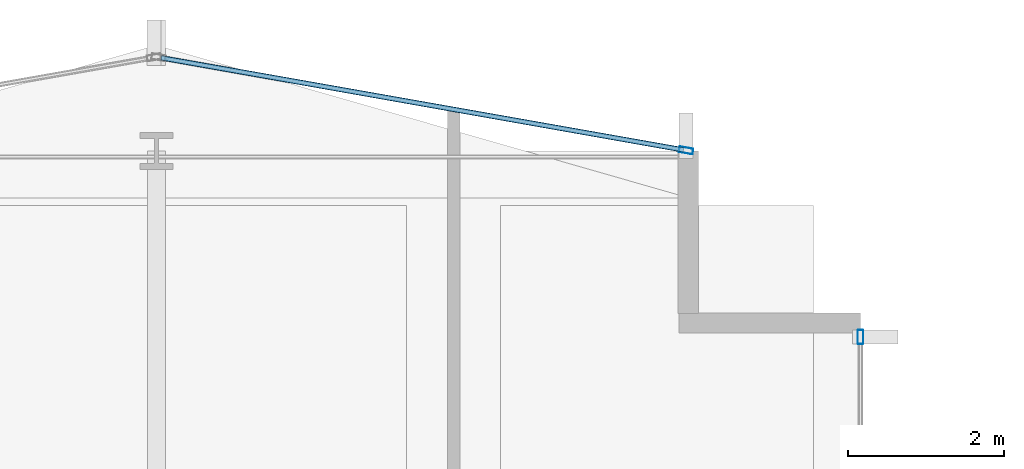
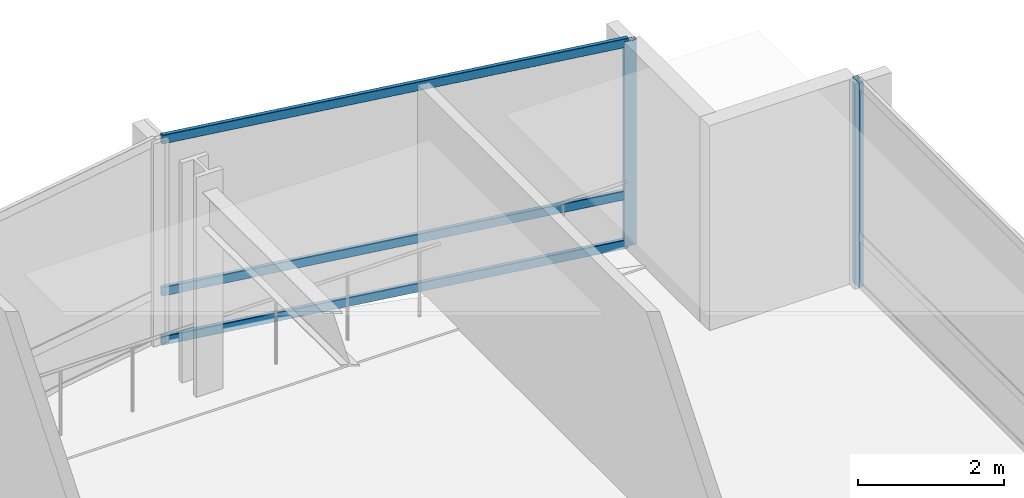
# One storey, part 24 of 34: 5 members, 2 elements without a shape of their own.
"""IFC4 building model written with IfcOpenShell, lengths in metres."""

from ifc_helpers import new_model, si_unit, direction, frame, origin, origin_2d, place, context, subcontext, project, spatial, hollow_rectangle, extrude, material, layer, layer_set, material_profile, profile_set, type_object, element, aggregate, save


model = new_model("IFC4")

# Units and contexts
model_context = context("Model", 3, precision=1e-05, world=origin(), true_north=direction((0.0, 1.0)))
body_context = subcontext(model_context, "Body", "Model", "MODEL_VIEW")
ifc_project = project(units=[si_unit("LENGTHUNIT", "METRE"), si_unit("AREAUNIT", "SQUARE_METRE"), si_unit("VOLUMEUNIT", "CUBIC_METRE"), si_unit("PLANEANGLEUNIT", "RADIAN"), si_unit("MASSUNIT", "GRAM", prefix="KILO")], contexts=[model_context])

# Site, building, storey
site_placement = place(None, origin())
site = spatial("IfcSite", under=ifc_project, at=site_placement, CompositionType="ELEMENT")
building_placement = place(site_placement, origin())
building = spatial("IfcBuilding", under=site, at=building_placement, Name="Solvaryn Broadcast Tower", CompositionType="ELEMENT")
storey_placement = place(building_placement, frame((0.0, 0.0, 76.699951171875)))
storey = spatial("IfcBuildingStorey", under=building, at=storey_placement, Name="L18", CompositionType="ELEMENT", Elevation=76.699951171875)

# Curtain wall, member
ifc_material_1 = material(Name="Aluminium and Terracotta Unitised Curtain Wall", Category="masonry")
ifc_layer = layer(ifc_material_1, 0.199951171875)
ifc_layer_set = layer_set([ifc_layer], Name="CW-SYS2-LOWMID")
curtain_wall_type = type_object("IfcCurtainWallType", Name="CW-SYS2-LOWMID", PredefinedType="NOTDEFINED", material=ifc_layer_set)
curtain_wall_1_placement = place(storey_placement, origin())
curtain_wall_1 = element("IfcCurtainWall", 1, at=curtain_wall_1_placement, inside=storey, type_object=curtain_wall_type, Name="L18 Curtain Wall IV", PredefinedType="NOTDEFINED")
ifc_material_2 = material(Name="Anodised Aluminium 6063-T6", Category="aluminium")
ifc_material_profile_1 = material_profile(ifc_material_2, hollow_rectangle(XDim=0.074951171875, YDim=0.179931640625, WallThickness=0.00390625, InnerFilletRadius=0.00390625, OuterFilletRadius=0.008056640625, at=origin_2d()))
ifc_profile_set_1 = profile_set([ifc_material_profile_1], Name="Anodised Aluminium 6063-T6")
member_type_1 = type_object("IfcMemberType", Name="CW-MUL-180", PredefinedType="MULLION", material=ifc_profile_set_1)
member_1_placement = place(storey_placement, frame((27.0, 51.6201171875, 0.0), z_axis=(0.0, 0.0, 1.0), x_axis=(1.0, 0.0, 0.0)))
member_1 = element("IfcMember", 2, at=member_1_placement, type_object=member_type_1, Name="CWS2 mullion 1", PredefinedType="MULLION", context=body_context, shape_type="SweptSolid", body=[
    extrude(hollow_rectangle(XDim=0.074951171875, YDim=0.179931640625, WallThickness=0.00390625, InnerFilletRadius=0.00390625, OuterFilletRadius=0.008056640625, at=origin_2d()), origin(), (0.0, 0.0, 1.0), 3.420166015625),
])
aggregate(curtain_wall_1, [member_1])

# Curtain wall, members
curtain_wall_2_placement = place(storey_placement, origin())
curtain_wall_2 = element("IfcCurtainWall", 3, at=curtain_wall_2_placement, inside=storey, type_object=curtain_wall_type, Name="L18 Curtain Wall NT1", PredefinedType="NOTDEFINED")
member_2_placement = place(storey_placement, frame((24.7705078125, 54.005126953125, 0.0), z_axis=(0.0, 0.0, 1.0), x_axis=(-0.173785333901, -0.984783558819, 0.0)))
member_2 = element("IfcMember", 4, at=member_2_placement, type_object=member_type_1, Name="CWS2 mullion 1", PredefinedType="MULLION", context=body_context, shape_type="SweptSolid", body=[
    extrude(hollow_rectangle(XDim=0.074951171875, YDim=0.179931640625, WallThickness=0.00390625, InnerFilletRadius=0.00390625, OuterFilletRadius=0.008056640625, at=origin_2d()), origin(), (0.0, 0.0, 1.0), 3.420166015625),
])
ifc_material_3 = material(Name="Anodised Aluminium 6063-T6", Category="aluminium")
ifc_material_profile_2 = material_profile(ifc_material_3, hollow_rectangle(XDim=0.06494140625, YDim=0.14990234375, WallThickness=0.00390625, InnerFilletRadius=0.00390625, OuterFilletRadius=0.008056640625, at=origin_2d()))
ifc_profile_set_2 = profile_set([ifc_material_profile_2], Name="Anodised Aluminium 6063-T6")
member_type_2 = type_object("IfcMemberType", Name="CW-TRN-150", PredefinedType="USERDEFINED", material=ifc_profile_set_2)
member_3_placement = place(storey_placement, frame((24.740966796875, 54.010498046875, 0.030029296875), z_axis=(-0.984788629673, 0.173756596613, 0.0), x_axis=(-0.173756596613, -0.984788629673, 0.0)))
member_3 = element("IfcMember", 5, at=member_3_placement, type_object=member_type_2, Name="CWS2 transom 1.1", ObjectType="TRANSOM", PredefinedType="USERDEFINED", context=body_context, shape_type="SweptSolid", body=[
    extrude(hollow_rectangle(XDim=0.06494140625, YDim=0.14990234375, WallThickness=0.00390625, InnerFilletRadius=0.00390625, OuterFilletRadius=0.008056640625, at=origin_2d()), origin(), (0.0, 0.0, 1.0), 6.78515625),
])
member_4_placement = place(storey_placement, frame((24.740966796875, 54.010498046875, 0.85009765625), z_axis=(-0.984788629673, 0.173756596613, 0.0), x_axis=(-0.173756596613, -0.984788629673, 0.0)))
member_4 = element("IfcMember", 6, at=member_4_placement, type_object=member_type_2, Name="CWS2 transom 1.2", ObjectType="TRANSOM", PredefinedType="USERDEFINED", context=body_context, shape_type="SweptSolid", body=[
    extrude(hollow_rectangle(XDim=0.06494140625, YDim=0.14990234375, WallThickness=0.00390625, InnerFilletRadius=0.00390625, OuterFilletRadius=0.008056640625, at=origin_2d()), origin(), (0.0, 0.0, 1.0), 6.78515625),
])
member_5_placement = place(storey_placement, frame((24.740966796875, 54.010498046875, 3.39013671875), z_axis=(-0.984788629673, 0.173756596613, 0.0), x_axis=(-0.173756596613, -0.984788629673, 0.0)))
member_5 = element("IfcMember", 7, at=member_5_placement, type_object=member_type_2, Name="CWS2 transom 1.3", ObjectType="TRANSOM", PredefinedType="USERDEFINED", context=body_context, shape_type="SweptSolid", body=[
    extrude(hollow_rectangle(XDim=0.06494140625, YDim=0.14990234375, WallThickness=0.00390625, InnerFilletRadius=0.00390625, OuterFilletRadius=0.008056640625, at=origin_2d()), origin(), (0.0, 0.0, 1.0), 6.78515625),
])
aggregate(curtain_wall_2, [member_2, member_3, member_4, member_5])

save(model, "model.ifc")
